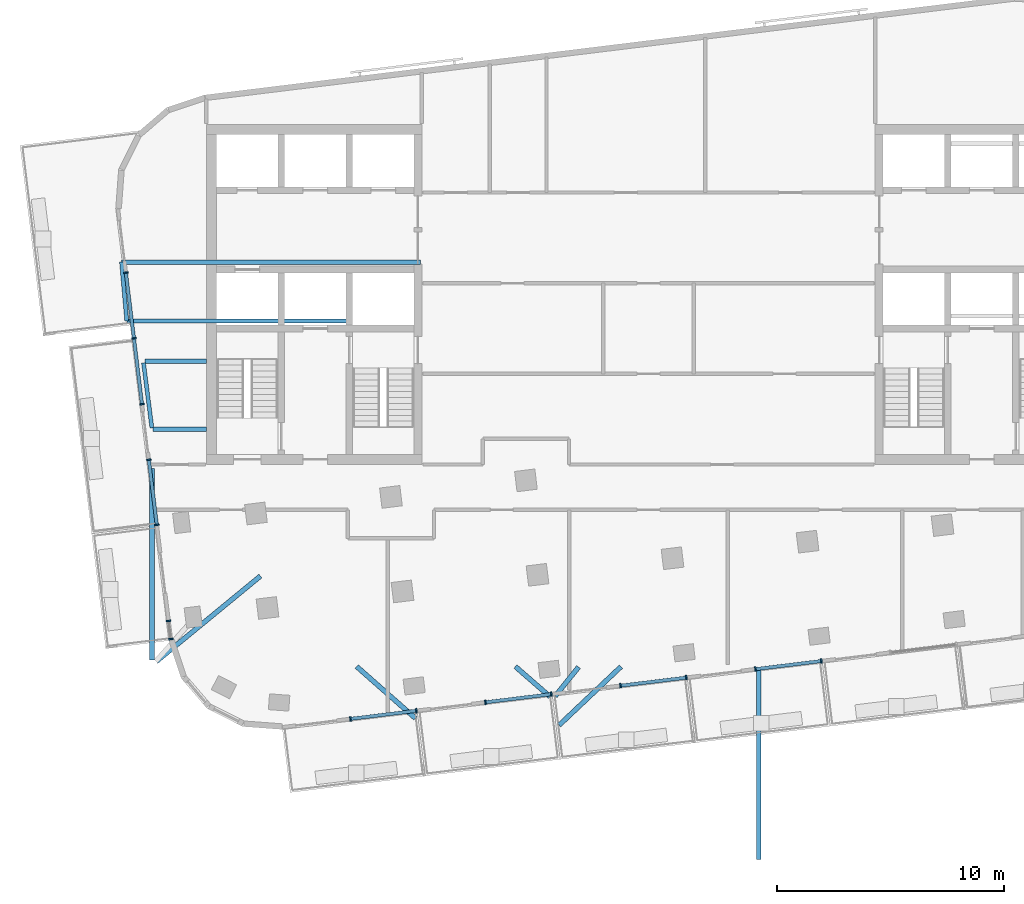
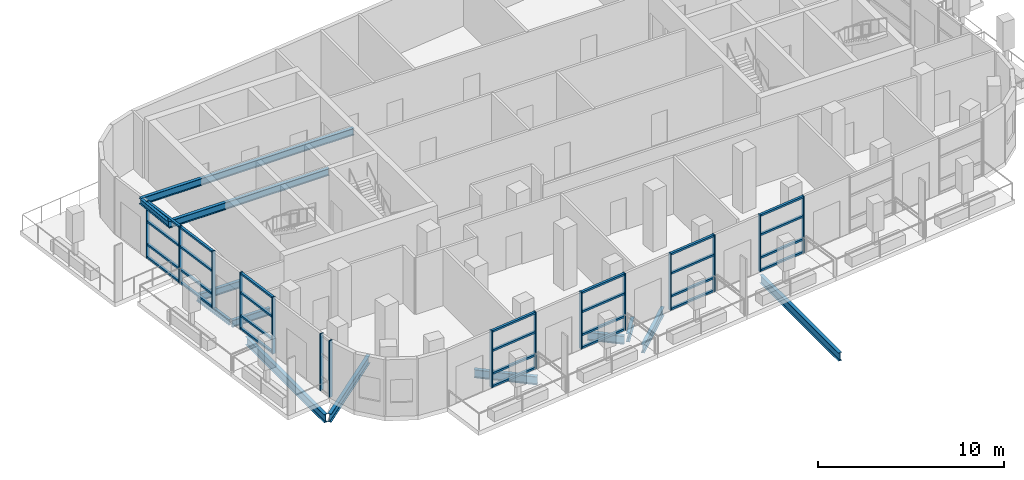
# One storey, part 2 of 13: 43 members, 13 beams, 7 elements without a shape of their own.
"""IFC4 building model written with IfcOpenShell, lengths in metres."""

import ifcopenshell
import ifcopenshell.guid

model = None  # the IFC model being written
_history = None  # IfcOwnerHistory: only IFC2X3 demands one
_inside = {}  # id of a spatial element -> (the spatial element, [elements in it])
_under = {}  # id of a project, library or spatial element -> (it, [spatial elements below it])
_declared = {}  # id of a project -> (the project, [libraries it declares])
_typed = {}  # id of a type object -> (the type object, [elements of that type])
_made_of = {}  # id of a material, layer set ... -> (it, [elements and type objects made of it])


def new_model(schema):
    """Start an empty IFC model of exactly this schema.

    Asked for "IFC4X3", IfcOpenShell would pick the latest addendum, in which some entities
    have other attributes; the version numbers below select the first issue.
    IFC2X3 requires an IfcOwnerHistory on every rooted entity: one is made here for all.
    """
    global model, _history
    if schema == "IFC4X3":
        model = ifcopenshell.file(schema_version=(4, 3, 0, 0))
    else:
        model = ifcopenshell.file(schema=schema)
    _inside.clear()
    _under.clear()
    _declared.clear()
    _typed.clear()
    _made_of.clear()
    _history = None
    if model.schema == "IFC2X3":
        org = make("IfcOrganization", Name="unknown")
        user = make(
            "IfcPersonAndOrganization",
            ThePerson=make("IfcPerson", FamilyName="unknown"),
            TheOrganization=org,
        )
        app = make(
            "IfcApplication",
            ApplicationDeveloper=org,
            Version="unknown",
            ApplicationFullName="unknown",
            ApplicationIdentifier="unknown",
        )
        _history = make(
            "IfcOwnerHistory",
            OwningUser=user,
            OwningApplication=app,
            ChangeAction="ADDED",
            CreationDate=0,
        )
    return model


def make(cls, **values):
    """One entity of the class cls with the attributes given. An attribute that is None is left unset."""
    return model.create_entity(
        cls, **{name: value for name, value in values.items() if value is not None}
    )


def rooted(cls, **values):
    """An entity with a GlobalId (a new one), such as an element, a storey or a relation."""
    return make(cls, GlobalId=ifcopenshell.guid.new(), OwnerHistory=_history, **values)


def si_unit(unit_type, name, prefix=None):
    """IfcSIUnit, for example si_unit("LENGTHUNIT", "METRE", prefix="MILLI")."""
    return make("IfcSIUnit", UnitType=unit_type, Prefix=prefix, Name=name)


def assignment(units):
    """IfcUnitAssignment: the units of a project."""
    return None if units is None else make("IfcUnitAssignment", Units=units)


def point(xyz):
    """IfcCartesianPoint."""
    return None if xyz is None else make("IfcCartesianPoint", Coordinates=xyz)


def direction(xyz):
    """IfcDirection."""
    return None if xyz is None else make("IfcDirection", DirectionRatios=xyz)


def frame(location, z_axis=None, x_axis=None):
    """IfcAxis2Placement3D, a coordinate frame: its origin and axes. An axis left out is left unset."""
    return make(
        "IfcAxis2Placement3D",
        Location=point(location),
        Axis=direction(z_axis),
        RefDirection=direction(x_axis),
    )


def frame_2d(location, x_axis=None):
    """IfcAxis2Placement2D, a coordinate frame in the plane: its origin and x axis."""
    return make(
        "IfcAxis2Placement2D", Location=point(location), RefDirection=direction(x_axis)
    )


def origin():
    """The frame at (0, 0, 0) with its axes left unset."""
    return frame((0.0, 0.0, 0.0))


def origin_2d():
    """The frame at (0, 0) in the plane with its x axis left unset."""
    return frame_2d((0.0, 0.0))


def place(relative_to, where):
    """IfcLocalPlacement: puts the frame where relative to a parent placement (None: the world)."""
    return make(
        "IfcLocalPlacement", PlacementRelTo=relative_to, RelativePlacement=where
    )


def context(
    kind, dimensions, precision=None, world=None, true_north=None, identifier=None
):
    """IfcGeometricRepresentationContext, for example the 3D "Model" context."""
    return make(
        "IfcGeometricRepresentationContext",
        ContextIdentifier=identifier,
        ContextType=kind,
        CoordinateSpaceDimension=dimensions,
        Precision=precision,
        WorldCoordinateSystem=world,
        TrueNorth=true_north,
    )


def subcontext(parent, identifier, kind, view, scale=None):
    """IfcGeometricRepresentationSubContext, for example "Body" below "Model"."""
    return make(
        "IfcGeometricRepresentationSubContext",
        ContextIdentifier=identifier,
        ContextType=kind,
        ParentContext=parent,
        TargetScale=scale,
        TargetView=view,
    )


def project(units=None, contexts=None):
    """IfcProject with its units and contexts."""
    return rooted(
        "IfcProject",
        Name="project",
        RepresentationContexts=contexts,
        UnitsInContext=assignment(units),
    )


def spatial(cls, under=None, at=None, **own):
    """A site, building, storey or space (cls), placed at a placement, below another one or the project."""
    s = rooted(cls, ObjectPlacement=at, **own)
    if under is not None:
        _under.setdefault(under.id(), (under, []))[1].append(s)
    return s


def profile(cls, at=None, kind="AREA", **sizes):
    """A parametric profile (cls). Its sizes go by their IFC names, for example OverallWidth=200.0."""
    return make(cls, ProfileType=kind, Position=at, **sizes)


def rectangle(**sizes):
    """IfcRectangleProfileDef."""
    return profile("IfcRectangleProfileDef", **sizes)


def i_section(**sizes):
    """IfcIShapeProfileDef."""
    return profile("IfcIShapeProfileDef", **sizes)


def extrude(swept, where, along, depth):
    """IfcExtrudedAreaSolid: the profile swept, set in the frame where, extruded along a direction by depth."""
    return make(
        "IfcExtrudedAreaSolid",
        SweptArea=swept,
        Position=where,
        ExtrudedDirection=direction(along),
        Depth=depth,
    )


def shape(context_of_items, identifier, shape_type, items):
    """IfcShapeRepresentation: the items that make up one representation, for example the "Body"."""
    return make(
        "IfcShapeRepresentation",
        ContextOfItems=context_of_items,
        RepresentationIdentifier=identifier,
        RepresentationType=shape_type,
        Items=items,
    )


def material(Name=None, Category=None):
    """IfcMaterial."""
    return make("IfcMaterial", Name=Name, Category=Category)


def layer(
    of_material, thickness, ventilated=None, Name=None, Category=None, Priority=None
):
    """IfcMaterialLayer: one layer of a wall or slab, of a material (None: an air gap)."""
    return make(
        "IfcMaterialLayer",
        Material=of_material,
        LayerThickness=thickness,
        IsVentilated=ventilated,
        Name=Name,
        Category=Category,
        Priority=Priority,
    )


def layer_set(layers, Name=None):
    """IfcMaterialLayerSet."""
    return make("IfcMaterialLayerSet", MaterialLayers=layers, LayerSetName=Name)


def material_profile(
    of_material, cross_section, Name=None, Category=None, Priority=None
):
    """IfcMaterialProfile: a cross section and its material."""
    return make(
        "IfcMaterialProfile",
        Name=Name,
        Material=of_material,
        Profile=cross_section,
        Priority=Priority,
        Category=Category,
    )


def profile_set(profiles, Name=None, composite=None):
    """IfcMaterialProfileSet."""
    return make(
        "IfcMaterialProfileSet",
        Name=Name,
        MaterialProfiles=profiles,
        CompositeProfile=composite,
    )


def made_of(thing, what):
    """Note that an element or type object is made of a material, layer set ...; save() writes the relation."""
    if what is not None:
        _made_of.setdefault(what.id(), (what, []))[1].append(thing)
    return thing


def type_object(cls, material=None, **own):
    """A type object (cls), such as IfcWallType, which elements share."""
    return made_of(rooted(cls, **own), material)


def element(
    cls,
    number,
    at=None,
    inside=None,
    cuts=None,
    type_object=None,
    material=None,
    context=None,
    identifier="Body",
    shape_type=None,
    held_by="IfcProductDefinitionShape",
    body=None,
    shapes=None,
    **own,
):
    """One element of the class cls, such as IfcWall. Its Tag is "e" and its number.

    at: its placement. inside: the storey or other place that contains it. cuts: it is an
    opening in that element (IfcRelVoidsElement). A single representation is given by context,
    identifier, shape_type and body (its items); several are given by shapes. held_by: the class
    of the entity that holds the representations. save() writes the other relations.
    """
    e = rooted(cls, Tag="e%d" % number, ObjectPlacement=at, **own)
    if body is not None:
        shapes = [shape(context, identifier, shape_type, body)]
    if shapes is not None:
        e.Representation = make(held_by, Representations=shapes)
    if inside is not None:
        _inside.setdefault(inside.id(), (inside, []))[1].append(e)
    if cuts is not None:
        rooted(
            "IfcRelVoidsElement", RelatingBuildingElement=cuts, RelatedOpeningElement=e
        )
    if type_object is not None:
        _typed.setdefault(type_object.id(), (type_object, []))[1].append(e)
    return made_of(e, material)


def aggregate(whole, parts):
    """IfcRelAggregates: a whole, such as a stair, and the parts it consists of."""
    return rooted("IfcRelAggregates", RelatingObject=whole, RelatedObjects=parts)


def save(model, path):
    """Write the relations noted so far, then the file.

    IfcRelAggregates (storeys below a building ...), IfcRelContainedInSpatialStructure (elements
    in a storey), IfcRelDefinesByType, IfcRelAssociatesMaterial and IfcRelDeclares: one each for
    every whole, place, type object, material and project.
    """
    for whole, parts in _under.values():
        aggregate(whole, parts)
    for where, things in _inside.values():
        rooted(
            "IfcRelContainedInSpatialStructure",
            RelatedElements=things,
            RelatingStructure=where,
        )
    for kind, things in _typed.values():
        rooted("IfcRelDefinesByType", RelatedObjects=things, RelatingType=kind)
    for what, things in _made_of.values():
        rooted("IfcRelAssociatesMaterial", RelatedObjects=things, RelatingMaterial=what)
    for by, libraries in _declared.values():
        rooted("IfcRelDeclares", RelatingContext=by, RelatedDefinitions=libraries)
    model.write(path)


model = new_model("IFC4")

# Units and contexts
model_context = context("Model", 3, precision=1e-05, world=origin(), true_north=direction((0.0, 1.0)))
body_context = subcontext(model_context, "Body", "Model", "MODEL_VIEW")
ifc_project = project(units=[si_unit("LENGTHUNIT", "METRE"), si_unit("AREAUNIT", "SQUARE_METRE"), si_unit("VOLUMEUNIT", "CUBIC_METRE"), si_unit("PLANEANGLEUNIT", "RADIAN"), si_unit("MASSUNIT", "GRAM", prefix="KILO")], contexts=[model_context])

# Site, building, storey
site_placement = place(None, origin())
site = spatial("IfcSite", under=ifc_project, at=site_placement, CompositionType="ELEMENT")
building_placement = place(site_placement, origin())
building = spatial("IfcBuilding", under=site, at=building_placement, Name="Torana Hotel and Residences", CompositionType="ELEMENT")
storey_placement = place(building_placement, frame((0.0, 0.0, 314.60009765625)))
storey = spatial("IfcBuildingStorey", under=building, at=storey_placement, Name="L83", CompositionType="ELEMENT", Elevation=314.60009765625)

# Beams
ifc_material_1 = material(Name="Steel S355", Category="steel")
ifc_material_profile_1 = material_profile(ifc_material_1, i_section(OverallWidth=0.19287109375, OverallDepth=0.46728515625, WebThickness=0.011474609375, FlangeThickness=0.01953125, FilletRadius=0.01025390625, at=origin_2d()), Name="457x191x98 UB")
ifc_profile_set_1 = profile_set([ifc_material_profile_1], Name="Steel S355")
beam_type_1 = type_object("IfcBeamType", Name="BALCONY CANTILEVER BEAM 457x191x98 UB", PredefinedType="BEAM", material=ifc_profile_set_1)
beam_1_placement = place(storey_placement, frame((-19.489990234375, -13.449951171875, -0.513671875), z_axis=(-1.0, 0.0, 0.0), x_axis=(0.0, -1.0, 0.0)))
element("IfcBeam", 1, at=beam_1_placement, inside=storey, type_object=beam_type_1, Name="Balcony cantilever beam", PredefinedType="BEAM", context=body_context, shape_type="SweptSolid", body=[
    extrude(i_section(OverallWidth=0.19287109375, OverallDepth=0.46728515625, WebThickness=0.011474609375, FlangeThickness=0.01953125, FilletRadius=0.01025390625, at=origin_2d()), origin(), (0.0, 0.0, 1.0), 2.360107421875),
])
beam_2_placement = place(storey_placement, frame((-19.489990234375, -10.449951171875, -0.513671875), z_axis=(-1.0, 0.0, 0.0), x_axis=(0.0, -1.0, 0.0)))
element("IfcBeam", 2, at=beam_2_placement, inside=storey, type_object=beam_type_1, Name="Balcony cantilever beam", PredefinedType="BEAM", context=body_context, shape_type="SweptSolid", body=[
    extrude(i_section(OverallWidth=0.19287109375, OverallDepth=0.46728515625, WebThickness=0.011474609375, FlangeThickness=0.01953125, FilletRadius=0.01025390625, at=origin_2d()), origin(), (0.0, 0.0, 1.0), 2.728515625),
])
beam_3_placement = place(storey_placement, frame((-23.013916015625, -8.669921875, 3.486328125), z_axis=(1.0, 0.0, 0.0), x_axis=(0.0, 1.0, 0.0)))
element("IfcBeam", 3, at=beam_3_placement, inside=storey, type_object=beam_type_1, Name="Balcony cantilever beam", PredefinedType="BEAM", context=body_context, shape_type="SweptSolid", body=[
    extrude(i_section(OverallWidth=0.19287109375, OverallDepth=0.46728515625, WebThickness=0.011474609375, FlangeThickness=0.01953125, FilletRadius=0.01025390625, at=origin_2d()), origin(), (0.0, 0.0, 1.0), 9.913818359375),
])
beam_4_placement = place(storey_placement, frame((-23.2451171875, -6.070068359375, 3.486328125), z_axis=(1.0, 0.0, 0.0), x_axis=(0.0, 1.0, 0.0)))
element("IfcBeam", 4, at=beam_4_placement, inside=storey, type_object=beam_type_1, Name="Balcony cantilever beam", PredefinedType="BEAM", context=body_context, shape_type="SweptSolid", body=[
    extrude(i_section(OverallWidth=0.19287109375, OverallDepth=0.46728515625, WebThickness=0.011474609375, FlangeThickness=0.01953125, FilletRadius=0.01025390625, at=origin_2d()), origin(), (0.0, 0.0, 1.0), 13.195068359375),
])
ifc_material_2 = material(Name="Steel S355", Category="steel")
ifc_material_profile_2 = material_profile(ifc_material_2, i_section(OverallWidth=0.2119140625, OverallDepth=0.54443359375, WebThickness=0.0126953125, FlangeThickness=0.021240234375, FilletRadius=0.0126953125, at=origin_2d()), Name="533x210x122 UB")
ifc_profile_set_2 = profile_set([ifc_material_profile_2], Name="Steel S355")
beam_type_2 = type_object("IfcBeamType", Name="BALCONY TIE BEAM 533x210x122 UB", PredefinedType="BEAM", material=ifc_profile_set_2)
beam_5_placement = place(storey_placement, frame((-12.87158203125, -23.912353515625, -0.55224609375), z_axis=(0.750111988266, -0.661310823334, 0.0), x_axis=(0.661310823334, 0.750111988266, 0.0)))
element("IfcBeam", 5, at=beam_5_placement, inside=storey, type_object=beam_type_2, Name="Balcony tie beam", PredefinedType="BEAM", context=body_context, shape_type="SweptSolid", body=[
    extrude(i_section(OverallWidth=0.2119140625, OverallDepth=0.54443359375, WebThickness=0.0126953125, FlangeThickness=0.021240234375, FilletRadius=0.0126953125, at=origin_2d()), origin(), (0.0, 0.0, 1.0), 3.455810546875),
])
beam_6_placement = place(storey_placement, frame((-5.871826171875, -23.91162109375, -0.55224609375), z_axis=(0.754176173048, -0.656672140422, 0.0), x_axis=(0.656672140422, 0.754176173048, 0.0)))
element("IfcBeam", 6, at=beam_6_placement, inside=storey, type_object=beam_type_2, Name="Balcony tie beam", PredefinedType="BEAM", context=body_context, shape_type="SweptSolid", body=[
    extrude(i_section(OverallWidth=0.2119140625, OverallDepth=0.54443359375, WebThickness=0.0126953125, FlangeThickness=0.021240234375, FilletRadius=0.0126953125, at=origin_2d()), origin(), (0.0, 0.0, 1.0), 2.020751953125),
])
beam_7_placement = place(storey_placement, frame((-3.083984375, -23.9326171875, -0.55224609375), z_axis=(-0.62541840871, -0.780289570639, 0.0), x_axis=(0.780289570639, -0.62541840871, 0.0)))
element("IfcBeam", 7, at=beam_7_placement, inside=storey, type_object=beam_type_2, Name="Balcony tie beam", PredefinedType="BEAM", context=body_context, shape_type="SweptSolid", body=[
    extrude(i_section(OverallWidth=0.2119140625, OverallDepth=0.54443359375, WebThickness=0.0126953125, FlangeThickness=0.021240234375, FilletRadius=0.0126953125, at=origin_2d()), origin(), (0.0, 0.0, 1.0), 1.645751953125),
])
beam_8_placement = place(storey_placement, frame((-1.212158203125, -23.916748046875, -0.55224609375), z_axis=(-0.72643070769, -0.687239715765, 0.0), x_axis=(0.687239715765, -0.72643070769, 0.0)))
element("IfcBeam", 8, at=beam_8_placement, inside=storey, type_object=beam_type_2, Name="Balcony tie beam", PredefinedType="BEAM", context=body_context, shape_type="SweptSolid", body=[
    extrude(i_section(OverallWidth=0.2119140625, OverallDepth=0.54443359375, WebThickness=0.0126953125, FlangeThickness=0.021240234375, FilletRadius=0.0126953125, at=origin_2d()), origin(), (0.0, 0.0, 1.0), 3.75634765625),
])
beam_9_placement = place(storey_placement, frame((4.86669921875, -32.429931640625, -0.55224609375), z_axis=(0.0, 1.0, 0.0), x_axis=(-1.0, 0.0, 0.0)))
element("IfcBeam", 9, at=beam_9_placement, inside=storey, type_object=beam_type_2, Name="Balcony tie beam", PredefinedType="BEAM", context=body_context, shape_type="SweptSolid", body=[
    extrude(i_section(OverallWidth=0.2119140625, OverallDepth=0.54443359375, WebThickness=0.0126953125, FlangeThickness=0.021240234375, FilletRadius=0.0126953125, at=origin_2d()), origin(), (0.0, 0.0, 1.0), 8.4599609375),
])
beam_10_placement = place(storey_placement, frame((-21.711181640625, -23.692138671875, -0.55224609375), z_axis=(0.772833520875, 0.634608815737, 0.0), x_axis=(-0.634608815737, 0.772833520875, 0.0)))
element("IfcBeam", 10, at=beam_10_placement, inside=storey, type_object=beam_type_2, Name="Balcony tie beam", PredefinedType="BEAM", context=body_context, shape_type="SweptSolid", body=[
    extrude(i_section(OverallWidth=0.2119140625, OverallDepth=0.54443359375, WebThickness=0.0126953125, FlangeThickness=0.021240234375, FilletRadius=0.0126953125, at=origin_2d()), origin(), (0.0, 0.0, 1.0), 5.93994140625),
])
beam_11_placement = place(storey_placement, frame((-21.89990234375, -23.6298828125, -0.55224609375), z_axis=(0.0, 1.0, 0.0), x_axis=(-1.0, 0.0, 0.0)))
element("IfcBeam", 11, at=beam_11_placement, inside=storey, type_object=beam_type_2, Name="Balcony tie beam", PredefinedType="BEAM", context=body_context, shape_type="SweptSolid", body=[
    extrude(i_section(OverallWidth=0.2119140625, OverallDepth=0.54443359375, WebThickness=0.0126953125, FlangeThickness=0.021240234375, FilletRadius=0.0126953125, at=origin_2d()), origin(), (0.0, 0.0, 1.0), 8.4599609375),
])
ifc_material_3 = material(Name="Steel S355", Category="steel")
ifc_material_profile_3 = material_profile(ifc_material_3, i_section(OverallWidth=0.173095703125, OverallDepth=0.36328125, WebThickness=0.009033203125, FlangeThickness=0.015625, FilletRadius=0.01025390625, at=origin_2d()), Name="356x171x67 UB")
ifc_profile_set_3 = profile_set([ifc_material_profile_3], Name="Steel S355")
beam_type_3 = type_object("IfcBeamType", Name="BALCONY TIP BEAM 356x171x67 UB", PredefinedType="BEAM", material=ifc_profile_set_3)
beam_12_placement = place(storey_placement, frame((-21.90673828125, -13.383544921875, -0.4619140625), z_axis=(-0.127443407553, 0.991845843804, 0.0), x_axis=(-0.991845843804, -0.127443407553, 0.0)))
element("IfcBeam", 12, at=beam_12_placement, inside=storey, type_object=beam_type_3, Name="Balcony tip beam", PredefinedType="BEAM", context=body_context, shape_type="SweptSolid", body=[
    extrude(i_section(OverallWidth=0.173095703125, OverallDepth=0.36328125, WebThickness=0.009033203125, FlangeThickness=0.015625, FilletRadius=0.01025390625, at=origin_2d()), origin(), (0.0, 0.0, 1.0), 2.890869140625),
])
beam_13_placement = place(storey_placement, frame((-23.013916015625, -8.669921875, 3.5380859375), z_axis=(-0.088578973765, 0.99606915694, 0.0), x_axis=(-0.99606915694, -0.088578973765, 0.0)))
element("IfcBeam", 13, at=beam_13_placement, inside=storey, type_object=beam_type_3, Name="Balcony tip beam", PredefinedType="BEAM", context=body_context, shape_type="SweptSolid", body=[
    extrude(i_section(OverallWidth=0.173095703125, OverallDepth=0.36328125, WebThickness=0.009033203125, FlangeThickness=0.015625, FilletRadius=0.01025390625, at=origin_2d()), origin(), (0.0, 0.0, 1.0), 2.610107421875),
])

# Curtain wall, members
ifc_material_4 = material(Name="Dark anodised aluminium", Category="aluminium")
ifc_layer = layer(ifc_material_4, 0.199951171875)
ifc_layer_set = layer_set([ifc_layer], Name="CW3 SKY CLUB UNITISED CURTAIN WALL")
curtain_wall_type = type_object("IfcCurtainWallType", Name="CW3 SKY CLUB UNITISED CURTAIN WALL", PredefinedType="NOTDEFINED", material=ifc_layer_set)
curtain_wall_1_placement = place(storey_placement, origin())
curtain_wall_1 = element("IfcCurtainWall", 14, at=curtain_wall_1_placement, inside=storey, type_object=curtain_wall_type, Name="Curtain wall CW3 L83 e0.9-2", PredefinedType="NOTDEFINED")
ifc_material_5 = material(Name="Dark anodised aluminium", Category="aluminium")
ifc_material_profile_4 = material_profile(ifc_material_5, rectangle(XDim=0.199951171875, YDim=0.070068359375, at=origin_2d()), Name="CW3 MULLION 70x200")
ifc_profile_set_4 = profile_set([ifc_material_profile_4], Name="Dark anodised aluminium")
member_type_1 = type_object("IfcMemberType", Name="CW3 MULLION 70x200", PredefinedType="MULLION", material=ifc_profile_set_4)
member_1_placement = place(storey_placement, frame((-23.054931640625, -6.53515625, 0.0), z_axis=(0.0, 0.0, 1.0), x_axis=(0.992545392029, 0.121875529794, 0.0)))
member_1 = element("IfcMember", 15, at=member_1_placement, type_object=member_type_1, Name="CW3 mullion 1", PredefinedType="MULLION", context=body_context, shape_type="SweptSolid", body=[
    extrude(rectangle(XDim=0.199951171875, YDim=0.070068359375, at=origin_2d()), origin(), (0.0, 0.0, 1.0), 3.719970703125),
])
member_2_placement = place(storey_placement, frame((-22.69873046875, -9.43701171875, 0.0), z_axis=(0.0, 0.0, 1.0), x_axis=(0.992545392029, 0.121875529794, 0.0)))
member_2 = element("IfcMember", 16, at=member_2_placement, type_object=member_type_1, Name="CW3 mullion 2", PredefinedType="MULLION", context=body_context, shape_type="SweptSolid", body=[
    extrude(rectangle(XDim=0.199951171875, YDim=0.070068359375, at=origin_2d()), origin(), (0.0, 0.0, 1.0), 3.719970703125),
])
member_3_placement = place(storey_placement, frame((-22.34228515625, -12.339111328125, 0.0), z_axis=(0.0, 0.0, 1.0), x_axis=(0.992545392029, 0.121875529794, 0.0)))
member_3 = element("IfcMember", 17, at=member_3_placement, type_object=member_type_1, Name="CW3 mullion 3", PredefinedType="MULLION", context=body_context, shape_type="SweptSolid", body=[
    extrude(rectangle(XDim=0.199951171875, YDim=0.070068359375, at=origin_2d()), origin(), (0.0, 0.0, 1.0), 3.719970703125),
])

curtain_wall_2_placement = place(storey_placement, origin())
curtain_wall_2 = element("IfcCurtainWall", 18, at=curtain_wall_2_placement, inside=storey, type_object=curtain_wall_type, Name="Curtain wall CW3 L83 e0.9-4", PredefinedType="NOTDEFINED")
member_4_placement = place(storey_placement, frame((-22.041259765625, -14.79052734375, 0.0), z_axis=(0.0, 0.0, 1.0), x_axis=(0.992547610171, 0.121857464048, 0.0)))
member_4 = element("IfcMember", 19, at=member_4_placement, type_object=member_type_1, Name="CW3 mullion 1", PredefinedType="MULLION", context=body_context, shape_type="SweptSolid", body=[
    extrude(rectangle(XDim=0.199951171875, YDim=0.070068359375, at=origin_2d()), origin(), (0.0, 0.0, 1.0), 3.719970703125),
])
member_5_placement = place(storey_placement, frame((-21.68896484375, -17.66162109375, 0.0), z_axis=(0.0, 0.0, 1.0), x_axis=(0.992547610171, 0.121857464048, 0.0)))
member_5 = element("IfcMember", 20, at=member_5_placement, type_object=member_type_1, Name="CW3 mullion 2", PredefinedType="MULLION", context=body_context, shape_type="SweptSolid", body=[
    extrude(rectangle(XDim=0.199951171875, YDim=0.070068359375, at=origin_2d()), origin(), (0.0, 0.0, 1.0), 3.719970703125),
])

curtain_wall_3_placement = place(storey_placement, origin())
curtain_wall_3 = element("IfcCurtainWall", 21, at=curtain_wall_3_placement, inside=storey, type_object=curtain_wall_type, Name="Curtain wall CW3 L83 e0.9-6", PredefinedType="NOTDEFINED")
member_6_placement = place(storey_placement, frame((-21.16845703125, -21.899658203125, 0.0), z_axis=(0.0, 0.0, 1.0), x_axis=(0.992544425058, 0.121883404477, 0.0)))
member_6 = element("IfcMember", 22, at=member_6_placement, type_object=member_type_1, Name="CW3 mullion 1", PredefinedType="MULLION", context=body_context, shape_type="SweptSolid", body=[
    extrude(rectangle(XDim=0.199951171875, YDim=0.070068359375, at=origin_2d()), origin(), (0.0, 0.0, 1.0), 3.719970703125),
])
member_7_placement = place(storey_placement, frame((-21.0703125, -22.69921875, 0.0), z_axis=(0.0, 0.0, 1.0), x_axis=(0.992544425058, 0.121883404477, 0.0)))
member_7 = element("IfcMember", 23, at=member_7_placement, type_object=member_type_1, Name="CW3 mullion 2", PredefinedType="MULLION", context=body_context, shape_type="SweptSolid", body=[
    extrude(rectangle(XDim=0.199951171875, YDim=0.070068359375, at=origin_2d()), origin(), (0.0, 0.0, 1.0), 3.719970703125),
])
aggregate(curtain_wall_3, [member_6, member_7])

curtain_wall_4_placement = place(storey_placement, origin())
curtain_wall_4 = element("IfcCurtainWall", 24, at=curtain_wall_4_placement, inside=storey, type_object=curtain_wall_type, Name="Curtain wall CW3 L83 e0.14-2", PredefinedType="NOTDEFINED")
member_8_placement = place(storey_placement, frame((-13.147216796875, -26.21923828125, 0.0), z_axis=(0.0, 0.0, 1.0), x_axis=(-0.121868256929, 0.992546285043, 0.0)))
member_8 = element("IfcMember", 25, at=member_8_placement, type_object=member_type_1, Name="CW3 mullion 1", PredefinedType="MULLION", context=body_context, shape_type="SweptSolid", body=[
    extrude(rectangle(XDim=0.199951171875, YDim=0.070068359375, at=origin_2d()), origin(), (0.0, 0.0, 1.0), 3.719970703125),
])
member_9_placement = place(storey_placement, frame((-10.2392578125, -25.8623046875, 0.0), z_axis=(0.0, 0.0, 1.0), x_axis=(-0.121868256929, 0.992546285043, 0.0)))
member_9 = element("IfcMember", 26, at=member_9_placement, type_object=member_type_1, Name="CW3 mullion 2", PredefinedType="MULLION", context=body_context, shape_type="SweptSolid", body=[
    extrude(rectangle(XDim=0.199951171875, YDim=0.070068359375, at=origin_2d()), origin(), (0.0, 0.0, 1.0), 3.719970703125),
])

curtain_wall_5_placement = place(storey_placement, origin())
curtain_wall_5 = element("IfcCurtainWall", 27, at=curtain_wall_5_placement, inside=storey, type_object=curtain_wall_type, Name="Curtain wall CW3 L83 e0.14-4", PredefinedType="NOTDEFINED")
member_10_placement = place(storey_placement, frame((-7.192138671875, -25.488037109375, 0.0), z_axis=(0.0, 0.0, 1.0), x_axis=(-0.121864225005, 0.992546780088, 0.0)))
member_10 = element("IfcMember", 28, at=member_10_placement, type_object=member_type_1, Name="CW3 mullion 1", PredefinedType="MULLION", context=body_context, shape_type="SweptSolid", body=[
    extrude(rectangle(XDim=0.199951171875, YDim=0.070068359375, at=origin_2d()), origin(), (0.0, 0.0, 1.0), 3.719970703125),
])
member_11_placement = place(storey_placement, frame((-4.283935546875, -25.131103515625, 0.0), z_axis=(0.0, 0.0, 1.0), x_axis=(-0.121864225005, 0.992546780088, 0.0)))
member_11 = element("IfcMember", 29, at=member_11_placement, type_object=member_type_1, Name="CW3 mullion 2", PredefinedType="MULLION", context=body_context, shape_type="SweptSolid", body=[
    extrude(rectangle(XDim=0.199951171875, YDim=0.070068359375, at=origin_2d()), origin(), (0.0, 0.0, 1.0), 3.719970703125),
])

curtain_wall_6_placement = place(storey_placement, origin())
curtain_wall_6 = element("IfcCurtainWall", 30, at=curtain_wall_6_placement, inside=storey, type_object=curtain_wall_type, Name="Curtain wall CW3 L83 e0.14-6", PredefinedType="NOTDEFINED")
member_12_placement = place(storey_placement, frame((-1.23681640625, -24.7568359375, 0.0), z_axis=(0.0, 0.0, 1.0), x_axis=(-0.121864225005, 0.992546780088, 0.0)))
member_12 = element("IfcMember", 31, at=member_12_placement, type_object=member_type_1, Name="CW3 mullion 1", PredefinedType="MULLION", context=body_context, shape_type="SweptSolid", body=[
    extrude(rectangle(XDim=0.199951171875, YDim=0.070068359375, at=origin_2d()), origin(), (0.0, 0.0, 1.0), 3.719970703125),
])
member_13_placement = place(storey_placement, frame((1.67138671875, -24.39990234375, 0.0), z_axis=(0.0, 0.0, 1.0), x_axis=(-0.121864225005, 0.992546780088, 0.0)))
member_13 = element("IfcMember", 32, at=member_13_placement, type_object=member_type_1, Name="CW3 mullion 2", PredefinedType="MULLION", context=body_context, shape_type="SweptSolid", body=[
    extrude(rectangle(XDim=0.199951171875, YDim=0.070068359375, at=origin_2d()), origin(), (0.0, 0.0, 1.0), 3.719970703125),
])

curtain_wall_7_placement = place(storey_placement, origin())
curtain_wall_7 = element("IfcCurtainWall", 33, at=curtain_wall_7_placement, inside=storey, type_object=curtain_wall_type, Name="Curtain wall CW3 L83 e0.14-8", PredefinedType="NOTDEFINED")
member_14_placement = place(storey_placement, frame((4.718505859375, -24.025634765625, 0.0), z_axis=(0.0, 0.0, 1.0), x_axis=(-0.121868256929, 0.992546285043, 0.0)))
member_14 = element("IfcMember", 34, at=member_14_placement, type_object=member_type_1, Name="CW3 mullion 1", PredefinedType="MULLION", context=body_context, shape_type="SweptSolid", body=[
    extrude(rectangle(XDim=0.199951171875, YDim=0.070068359375, at=origin_2d()), origin(), (0.0, 0.0, 1.0), 3.719970703125),
])
member_15_placement = place(storey_placement, frame((7.626708984375, -23.668701171875, 0.0), z_axis=(0.0, 0.0, 1.0), x_axis=(-0.121868256929, 0.992546285043, 0.0)))
member_15 = element("IfcMember", 35, at=member_15_placement, type_object=member_type_1, Name="CW3 mullion 2", PredefinedType="MULLION", context=body_context, shape_type="SweptSolid", body=[
    extrude(rectangle(XDim=0.199951171875, YDim=0.070068359375, at=origin_2d()), origin(), (0.0, 0.0, 1.0), 3.719970703125),
])

# Member
ifc_material_6 = material(Name="Dark anodised aluminium", Category="aluminium")
ifc_material_profile_5 = material_profile(ifc_material_6, rectangle(XDim=0.14990234375, YDim=0.1201171875, at=origin_2d()), Name="CW3 TRANSOM 150x120")
ifc_profile_set_5 = profile_set([ifc_material_profile_5], Name="Dark anodised aluminium")
member_type_2 = type_object("IfcMemberType", Name="CW3 TRANSOM 150x120", PredefinedType="USERDEFINED", material=ifc_profile_set_5)
member_16_placement = place(storey_placement, frame((-23.05078125, -6.56982421875, 0.059814453125), z_axis=(0.121907565708, -0.992541457786, 0.0), x_axis=(0.992541457786, 0.121907565708, 0.0)))
member_16 = element("IfcMember", 36, at=member_16_placement, type_object=member_type_2, Name="CW3 transom 1.1", ObjectType="TRANSOM", PredefinedType="USERDEFINED", context=body_context, shape_type="SweptSolid", body=[
    extrude(rectangle(XDim=0.14990234375, YDim=0.1201171875, at=origin_2d()), origin(), (0.0, 0.0, 1.0), 2.853759765625),
])

member_17_placement = place(storey_placement, frame((-23.05078125, -6.56982421875, 0.89990234375), z_axis=(0.121907565708, -0.992541457786, 0.0), x_axis=(0.992541457786, 0.121907565708, 0.0)))
member_17 = element("IfcMember", 37, at=member_17_placement, type_object=member_type_2, Name="CW3 transom 1.2", ObjectType="TRANSOM", PredefinedType="USERDEFINED", context=body_context, shape_type="SweptSolid", body=[
    extrude(rectangle(XDim=0.14990234375, YDim=0.1201171875, at=origin_2d()), origin(), (0.0, 0.0, 1.0), 2.853759765625),
])

member_18_placement = place(storey_placement, frame((-23.05078125, -6.56982421875, 2.39990234375), z_axis=(0.121907565708, -0.992541457786, 0.0), x_axis=(0.992541457786, 0.121907565708, 0.0)))
member_18 = element("IfcMember", 38, at=member_18_placement, type_object=member_type_2, Name="CW3 transom 1.3", ObjectType="TRANSOM", PredefinedType="USERDEFINED", context=body_context, shape_type="SweptSolid", body=[
    extrude(rectangle(XDim=0.14990234375, YDim=0.1201171875, at=origin_2d()), origin(), (0.0, 0.0, 1.0), 2.853759765625),
])

member_19_placement = place(storey_placement, frame((-23.05078125, -6.56982421875, 3.659912109375), z_axis=(0.121907565708, -0.992541457786, 0.0), x_axis=(0.992541457786, 0.121907565708, 0.0)))
member_19 = element("IfcMember", 39, at=member_19_placement, type_object=member_type_2, Name="CW3 transom 1.4", ObjectType="TRANSOM", PredefinedType="USERDEFINED", context=body_context, shape_type="SweptSolid", body=[
    extrude(rectangle(XDim=0.14990234375, YDim=0.1201171875, at=origin_2d()), origin(), (0.0, 0.0, 1.0), 2.853759765625),
])

member_20_placement = place(storey_placement, frame((-22.6943359375, -9.471923828125, 0.059814453125), z_axis=(0.121823286606, -0.99255180562, 0.0), x_axis=(0.99255180562, 0.121823286606, 0.0)))
member_20 = element("IfcMember", 40, at=member_20_placement, type_object=member_type_2, Name="CW3 transom 2.1", ObjectType="TRANSOM", PredefinedType="USERDEFINED", context=body_context, shape_type="SweptSolid", body=[
    extrude(rectangle(XDim=0.14990234375, YDim=0.1201171875, at=origin_2d()), origin(), (0.0, 0.0, 1.0), 2.853759765625),
])

member_21_placement = place(storey_placement, frame((-22.6943359375, -9.471923828125, 0.89990234375), z_axis=(0.121823286606, -0.99255180562, 0.0), x_axis=(0.99255180562, 0.121823286606, 0.0)))
member_21 = element("IfcMember", 41, at=member_21_placement, type_object=member_type_2, Name="CW3 transom 2.2", ObjectType="TRANSOM", PredefinedType="USERDEFINED", context=body_context, shape_type="SweptSolid", body=[
    extrude(rectangle(XDim=0.14990234375, YDim=0.1201171875, at=origin_2d()), origin(), (0.0, 0.0, 1.0), 2.853759765625),
])

member_22_placement = place(storey_placement, frame((-22.6943359375, -9.471923828125, 2.39990234375), z_axis=(0.121823286606, -0.99255180562, 0.0), x_axis=(0.99255180562, 0.121823286606, 0.0)))
member_22 = element("IfcMember", 42, at=member_22_placement, type_object=member_type_2, Name="CW3 transom 2.3", ObjectType="TRANSOM", PredefinedType="USERDEFINED", context=body_context, shape_type="SweptSolid", body=[
    extrude(rectangle(XDim=0.14990234375, YDim=0.1201171875, at=origin_2d()), origin(), (0.0, 0.0, 1.0), 2.853759765625),
])

member_23_placement = place(storey_placement, frame((-22.6943359375, -9.471923828125, 3.659912109375), z_axis=(0.121823286606, -0.99255180562, 0.0), x_axis=(0.99255180562, 0.121823286606, 0.0)))
member_23 = element("IfcMember", 43, at=member_23_placement, type_object=member_type_2, Name="CW3 transom 2.4", ObjectType="TRANSOM", PredefinedType="USERDEFINED", context=body_context, shape_type="SweptSolid", body=[
    extrude(rectangle(XDim=0.14990234375, YDim=0.1201171875, at=origin_2d()), origin(), (0.0, 0.0, 1.0), 2.853759765625),
])

aggregate(curtain_wall_1, [member_1, member_2, member_3, member_16, member_17, member_18, member_19, member_20, member_21, member_22, member_23])

member_24_placement = place(storey_placement, frame((-22.037109375, -14.825439453125, 0.059814453125), z_axis=(0.12188382621, -0.992544373269, 0.0), x_axis=(0.992544373269, 0.12188382621, 0.0)))
member_24 = element("IfcMember", 44, at=member_24_placement, type_object=member_type_2, Name="CW3 transom 1.1", ObjectType="TRANSOM", PredefinedType="USERDEFINED", context=body_context, shape_type="SweptSolid", body=[
    extrude(rectangle(XDim=0.14990234375, YDim=0.1201171875, at=origin_2d()), origin(), (0.0, 0.0, 1.0), 2.822265625),
])

member_25_placement = place(storey_placement, frame((-22.037109375, -14.825439453125, 0.89990234375), z_axis=(0.12188382621, -0.992544373269, 0.0), x_axis=(0.992544373269, 0.12188382621, 0.0)))
member_25 = element("IfcMember", 45, at=member_25_placement, type_object=member_type_2, Name="CW3 transom 1.2", ObjectType="TRANSOM", PredefinedType="USERDEFINED", context=body_context, shape_type="SweptSolid", body=[
    extrude(rectangle(XDim=0.14990234375, YDim=0.1201171875, at=origin_2d()), origin(), (0.0, 0.0, 1.0), 2.822265625),
])

member_26_placement = place(storey_placement, frame((-22.037109375, -14.825439453125, 2.39990234375), z_axis=(0.12188382621, -0.992544373269, 0.0), x_axis=(0.992544373269, 0.12188382621, 0.0)))
member_26 = element("IfcMember", 46, at=member_26_placement, type_object=member_type_2, Name="CW3 transom 1.3", ObjectType="TRANSOM", PredefinedType="USERDEFINED", context=body_context, shape_type="SweptSolid", body=[
    extrude(rectangle(XDim=0.14990234375, YDim=0.1201171875, at=origin_2d()), origin(), (0.0, 0.0, 1.0), 2.822265625),
])

member_27_placement = place(storey_placement, frame((-22.037109375, -14.825439453125, 3.659912109375), z_axis=(0.12188382621, -0.992544373269, 0.0), x_axis=(0.992544373269, 0.12188382621, 0.0)))
member_27 = element("IfcMember", 47, at=member_27_placement, type_object=member_type_2, Name="CW3 transom 1.4", ObjectType="TRANSOM", PredefinedType="USERDEFINED", context=body_context, shape_type="SweptSolid", body=[
    extrude(rectangle(XDim=0.14990234375, YDim=0.1201171875, at=origin_2d()), origin(), (0.0, 0.0, 1.0), 2.822265625),
])

aggregate(curtain_wall_2, [member_4, member_5, member_24, member_25, member_26, member_27])

member_28_placement = place(storey_placement, frame((-13.112548828125, -26.215087890625, 0.059814453125), z_axis=(0.992542186909, 0.121901629217, 0.0), x_axis=(-0.121901629217, 0.992542186909, 0.0)))
member_28 = element("IfcMember", 48, at=member_28_placement, type_object=member_type_2, Name="CW3 transom 1.1", ObjectType="TRANSOM", PredefinedType="USERDEFINED", context=body_context, shape_type="SweptSolid", body=[
    extrude(rectangle(XDim=0.14990234375, YDim=0.1201171875, at=origin_2d()), origin(), (0.0, 0.0, 1.0), 2.85986328125),
])

member_29_placement = place(storey_placement, frame((-13.112548828125, -26.215087890625, 0.89990234375), z_axis=(0.992542186909, 0.121901629217, 0.0), x_axis=(-0.121901629217, 0.992542186909, 0.0)))
member_29 = element("IfcMember", 49, at=member_29_placement, type_object=member_type_2, Name="CW3 transom 1.2", ObjectType="TRANSOM", PredefinedType="USERDEFINED", context=body_context, shape_type="SweptSolid", body=[
    extrude(rectangle(XDim=0.14990234375, YDim=0.1201171875, at=origin_2d()), origin(), (0.0, 0.0, 1.0), 2.85986328125),
])

member_30_placement = place(storey_placement, frame((-13.112548828125, -26.215087890625, 2.39990234375), z_axis=(0.992542186909, 0.121901629217, 0.0), x_axis=(-0.121901629217, 0.992542186909, 0.0)))
member_30 = element("IfcMember", 50, at=member_30_placement, type_object=member_type_2, Name="CW3 transom 1.3", ObjectType="TRANSOM", PredefinedType="USERDEFINED", context=body_context, shape_type="SweptSolid", body=[
    extrude(rectangle(XDim=0.14990234375, YDim=0.1201171875, at=origin_2d()), origin(), (0.0, 0.0, 1.0), 2.85986328125),
])

member_31_placement = place(storey_placement, frame((-13.112548828125, -26.215087890625, 3.659912109375), z_axis=(0.992542186909, 0.121901629217, 0.0), x_axis=(-0.121901629217, 0.992542186909, 0.0)))
member_31 = element("IfcMember", 51, at=member_31_placement, type_object=member_type_2, Name="CW3 transom 1.4", ObjectType="TRANSOM", PredefinedType="USERDEFINED", context=body_context, shape_type="SweptSolid", body=[
    extrude(rectangle(XDim=0.14990234375, YDim=0.1201171875, at=origin_2d()), origin(), (0.0, 0.0, 1.0), 2.85986328125),
])

aggregate(curtain_wall_4, [member_8, member_9, member_28, member_29, member_30, member_31])

member_32_placement = place(storey_placement, frame((-7.1572265625, -25.48388671875, 0.059814453125), z_axis=(0.992542186909, 0.121901629217, 0.0), x_axis=(-0.121901629217, 0.992542186909, 0.0)))
member_32 = element("IfcMember", 52, at=member_32_placement, type_object=member_type_2, Name="CW3 transom 1.1", ObjectType="TRANSOM", PredefinedType="USERDEFINED", context=body_context, shape_type="SweptSolid", body=[
    extrude(rectangle(XDim=0.14990234375, YDim=0.1201171875, at=origin_2d()), origin(), (0.0, 0.0, 1.0), 2.85986328125),
])

member_33_placement = place(storey_placement, frame((-7.1572265625, -25.48388671875, 0.89990234375), z_axis=(0.992542186909, 0.121901629217, 0.0), x_axis=(-0.121901629217, 0.992542186909, 0.0)))
member_33 = element("IfcMember", 53, at=member_33_placement, type_object=member_type_2, Name="CW3 transom 1.2", ObjectType="TRANSOM", PredefinedType="USERDEFINED", context=body_context, shape_type="SweptSolid", body=[
    extrude(rectangle(XDim=0.14990234375, YDim=0.1201171875, at=origin_2d()), origin(), (0.0, 0.0, 1.0), 2.85986328125),
])

member_34_placement = place(storey_placement, frame((-7.1572265625, -25.48388671875, 2.39990234375), z_axis=(0.992542186909, 0.121901629217, 0.0), x_axis=(-0.121901629217, 0.992542186909, 0.0)))
member_34 = element("IfcMember", 54, at=member_34_placement, type_object=member_type_2, Name="CW3 transom 1.3", ObjectType="TRANSOM", PredefinedType="USERDEFINED", context=body_context, shape_type="SweptSolid", body=[
    extrude(rectangle(XDim=0.14990234375, YDim=0.1201171875, at=origin_2d()), origin(), (0.0, 0.0, 1.0), 2.85986328125),
])

member_35_placement = place(storey_placement, frame((-7.1572265625, -25.48388671875, 3.659912109375), z_axis=(0.992542186909, 0.121901629217, 0.0), x_axis=(-0.121901629217, 0.992542186909, 0.0)))
member_35 = element("IfcMember", 55, at=member_35_placement, type_object=member_type_2, Name="CW3 transom 1.4", ObjectType="TRANSOM", PredefinedType="USERDEFINED", context=body_context, shape_type="SweptSolid", body=[
    extrude(rectangle(XDim=0.14990234375, YDim=0.1201171875, at=origin_2d()), origin(), (0.0, 0.0, 1.0), 2.85986328125),
])

aggregate(curtain_wall_5, [member_10, member_11, member_32, member_33, member_34, member_35])

member_36_placement = place(storey_placement, frame((-1.201904296875, -24.752685546875, 0.059814453125), z_axis=(0.992542186909, 0.121901629217, 0.0), x_axis=(-0.121901629217, 0.992542186909, 0.0)))
member_36 = element("IfcMember", 56, at=member_36_placement, type_object=member_type_2, Name="CW3 transom 1.1", ObjectType="TRANSOM", PredefinedType="USERDEFINED", context=body_context, shape_type="SweptSolid", body=[
    extrude(rectangle(XDim=0.14990234375, YDim=0.1201171875, at=origin_2d()), origin(), (0.0, 0.0, 1.0), 2.85986328125),
])

member_37_placement = place(storey_placement, frame((-1.201904296875, -24.752685546875, 0.89990234375), z_axis=(0.992542186909, 0.121901629217, 0.0), x_axis=(-0.121901629217, 0.992542186909, 0.0)))
member_37 = element("IfcMember", 57, at=member_37_placement, type_object=member_type_2, Name="CW3 transom 1.2", ObjectType="TRANSOM", PredefinedType="USERDEFINED", context=body_context, shape_type="SweptSolid", body=[
    extrude(rectangle(XDim=0.14990234375, YDim=0.1201171875, at=origin_2d()), origin(), (0.0, 0.0, 1.0), 2.85986328125),
])

member_38_placement = place(storey_placement, frame((-1.201904296875, -24.752685546875, 2.39990234375), z_axis=(0.992542186909, 0.121901629217, 0.0), x_axis=(-0.121901629217, 0.992542186909, 0.0)))
member_38 = element("IfcMember", 58, at=member_38_placement, type_object=member_type_2, Name="CW3 transom 1.3", ObjectType="TRANSOM", PredefinedType="USERDEFINED", context=body_context, shape_type="SweptSolid", body=[
    extrude(rectangle(XDim=0.14990234375, YDim=0.1201171875, at=origin_2d()), origin(), (0.0, 0.0, 1.0), 2.85986328125),
])

member_39_placement = place(storey_placement, frame((-1.201904296875, -24.752685546875, 3.659912109375), z_axis=(0.992542186909, 0.121901629217, 0.0), x_axis=(-0.121901629217, 0.992542186909, 0.0)))
member_39 = element("IfcMember", 59, at=member_39_placement, type_object=member_type_2, Name="CW3 transom 1.4", ObjectType="TRANSOM", PredefinedType="USERDEFINED", context=body_context, shape_type="SweptSolid", body=[
    extrude(rectangle(XDim=0.14990234375, YDim=0.1201171875, at=origin_2d()), origin(), (0.0, 0.0, 1.0), 2.85986328125),
])

aggregate(curtain_wall_6, [member_12, member_13, member_36, member_37, member_38, member_39])

member_40_placement = place(storey_placement, frame((4.753173828125, -24.021484375, 0.059814453125), z_axis=(0.992543455277, 0.121891301525, 0.0), x_axis=(-0.121891301525, 0.992543455277, 0.0)))
member_40 = element("IfcMember", 60, at=member_40_placement, type_object=member_type_2, Name="CW3 transom 1.1", ObjectType="TRANSOM", PredefinedType="USERDEFINED", context=body_context, shape_type="SweptSolid", body=[
    extrude(rectangle(XDim=0.14990234375, YDim=0.1201171875, at=origin_2d()), origin(), (0.0, 0.0, 1.0), 2.860107421875),
])

member_41_placement = place(storey_placement, frame((4.753173828125, -24.021484375, 0.89990234375), z_axis=(0.992543455277, 0.121891301525, 0.0), x_axis=(-0.121891301525, 0.992543455277, 0.0)))
member_41 = element("IfcMember", 61, at=member_41_placement, type_object=member_type_2, Name="CW3 transom 1.2", ObjectType="TRANSOM", PredefinedType="USERDEFINED", context=body_context, shape_type="SweptSolid", body=[
    extrude(rectangle(XDim=0.14990234375, YDim=0.1201171875, at=origin_2d()), origin(), (0.0, 0.0, 1.0), 2.860107421875),
])

member_42_placement = place(storey_placement, frame((4.753173828125, -24.021484375, 2.39990234375), z_axis=(0.992543455277, 0.121891301525, 0.0), x_axis=(-0.121891301525, 0.992543455277, 0.0)))
member_42 = element("IfcMember", 62, at=member_42_placement, type_object=member_type_2, Name="CW3 transom 1.3", ObjectType="TRANSOM", PredefinedType="USERDEFINED", context=body_context, shape_type="SweptSolid", body=[
    extrude(rectangle(XDim=0.14990234375, YDim=0.1201171875, at=origin_2d()), origin(), (0.0, 0.0, 1.0), 2.860107421875),
])

member_43_placement = place(storey_placement, frame((4.753173828125, -24.021484375, 3.659912109375), z_axis=(0.992543455277, 0.121891301525, 0.0), x_axis=(-0.121891301525, 0.992543455277, 0.0)))
member_43 = element("IfcMember", 63, at=member_43_placement, type_object=member_type_2, Name="CW3 transom 1.4", ObjectType="TRANSOM", PredefinedType="USERDEFINED", context=body_context, shape_type="SweptSolid", body=[
    extrude(rectangle(XDim=0.14990234375, YDim=0.1201171875, at=origin_2d()), origin(), (0.0, 0.0, 1.0), 2.860107421875),
])

aggregate(curtain_wall_7, [member_14, member_15, member_40, member_41, member_42, member_43])

save(model, "model.ifc")
